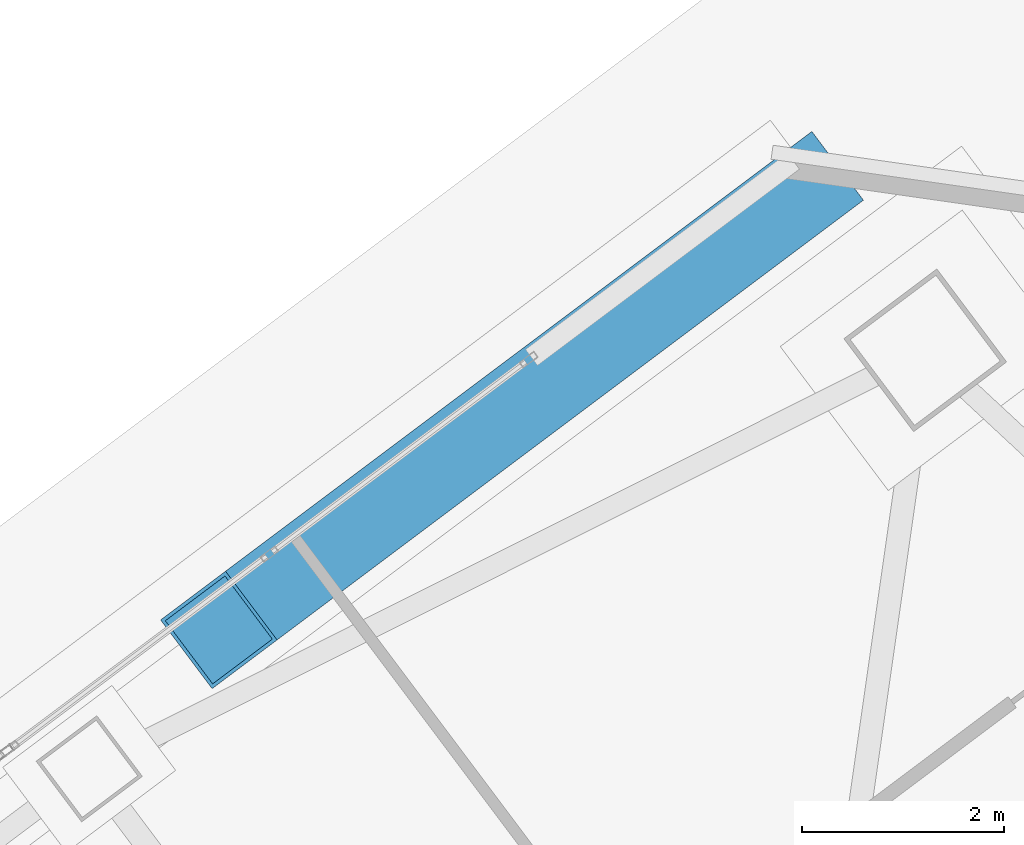
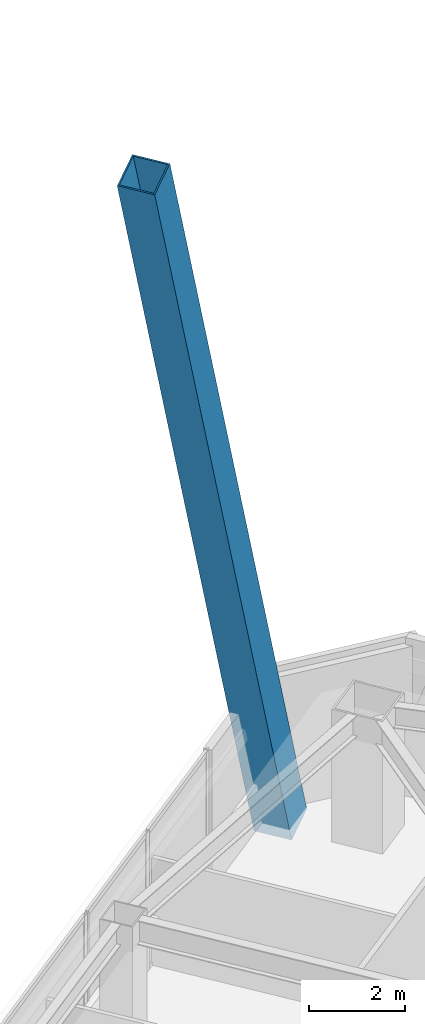
# One storey, part 47 of 65: 1 member.
"""IFC4 building model written with IfcOpenShell, lengths in metres."""

from ifc_helpers import new_model, si_unit, direction, frame, origin, origin_2d, place, context, subcontext, project, spatial, hollow_rectangle, extrude, material, material_profile, profile_set, type_object, element, save


model = new_model("IFC4")

# Units and contexts
model_context = context("Model", 3, precision=1e-05, world=origin(), true_north=direction((0.0, 1.0)))
body_context = subcontext(model_context, "Body", "Model", "MODEL_VIEW")
ifc_project = project(units=[si_unit("LENGTHUNIT", "METRE"), si_unit("AREAUNIT", "SQUARE_METRE"), si_unit("VOLUMEUNIT", "CUBIC_METRE"), si_unit("PLANEANGLEUNIT", "RADIAN"), si_unit("MASSUNIT", "GRAM", prefix="KILO")], contexts=[model_context])

# Site, building, storey
site_placement = place(None, origin())
site = spatial("IfcSite", under=ifc_project, at=site_placement, CompositionType="ELEMENT")
building_placement = place(site_placement, origin())
building = spatial("IfcBuilding", under=site, at=building_placement, Name="Tashvorn Skyway Center", CompositionType="ELEMENT")
storey_placement = place(building_placement, frame((0.0, 0.0, 157.0)))
storey = spatial("IfcBuildingStorey", under=building, at=storey_placement, Name="L42", CompositionType="ELEMENT", Elevation=157.0)

# Member
ifc_material = material(Name="Steel ASTM A572 Grade 50", Category="steel")
ifc_material_profile = material_profile(ifc_material, hollow_rectangle(XDim=0.85009765625, YDim=0.85009765625, WallThickness=0.034912109375, at=origin_2d()), Name="BOX850x850x35")
ifc_profile_set = profile_set([ifc_material_profile], Name="Steel ASTM A572 Grade 50")
member_type = type_object("IfcMemberType", Name="MEM-MB-850", PredefinedType="BRACE", material=ifc_profile_set)
member_placement = place(storey_placement, frame((115.7119140625, 53.884033203125, -0.199951171875), z_axis=(-0.260506738507, -0.195391019815, 0.945493833173), x_axis=(0.600021551797, -0.799983835699, 0.0)))
element("IfcMember", 1, at=member_placement, inside=storey, type_object=member_type, Name="Tower 2 Zone 4 N Chevron Mega-Brace L1", PredefinedType="BRACE", context=body_context, shape_type="SweptSolid", body=[
    extrude(hollow_rectangle(XDim=0.85009765625, YDim=0.85009765625, WallThickness=0.034912109375, at=origin_2d()), origin(), (0.0, 0.0, 1.0), 22.263427734375),
])

save(model, "model.ifc")
